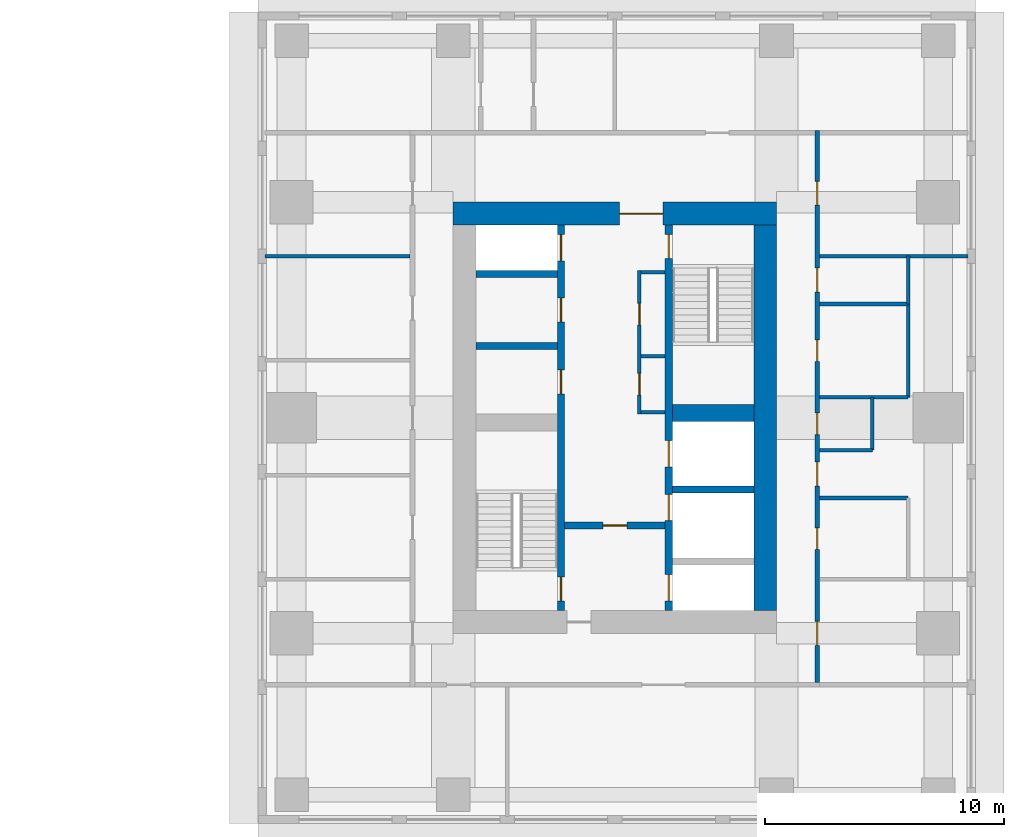
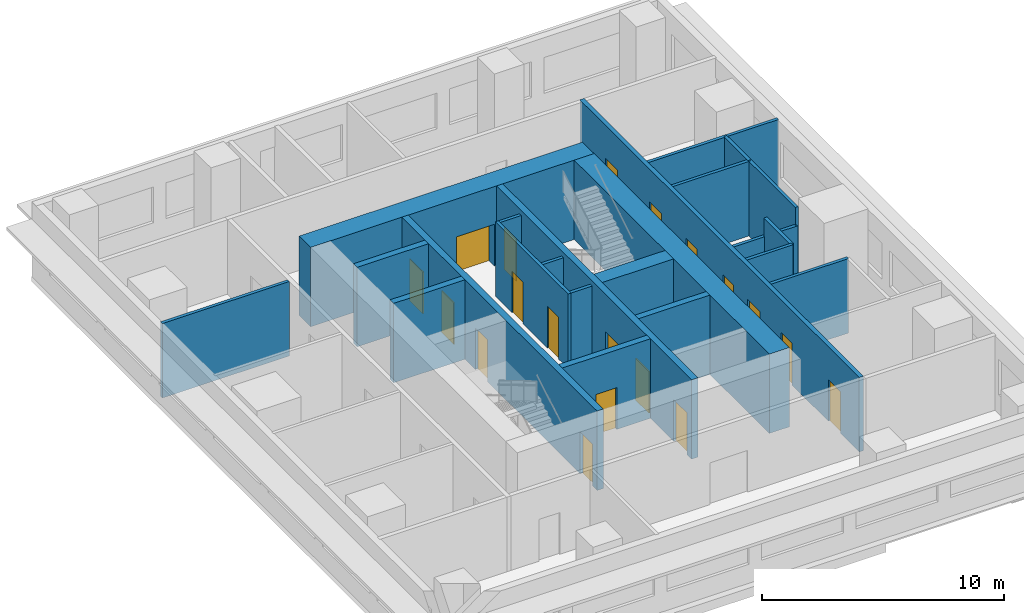
# One storey, part 7 of 11: 23 walls, 19 doors, 19 openings.
"""IFC4 building model written with IfcOpenShell, lengths in metres."""

from ifc_helpers import new_model, si_unit, direction, frame, frame_2d, origin, place, context, subcontext, project, spatial, rectangle, extrude, material, layer, layer_set, type_object, element, fill, save


model = new_model("IFC4")

# Units and contexts
model_context = context("Model", 3, precision=1e-05, world=origin(), true_north=direction((0.0, 1.0)))
body_context = subcontext(model_context, "Body", "Model", "MODEL_VIEW")
ifc_project = project(units=[si_unit("LENGTHUNIT", "METRE"), si_unit("AREAUNIT", "SQUARE_METRE"), si_unit("VOLUMEUNIT", "CUBIC_METRE"), si_unit("PLANEANGLEUNIT", "RADIAN"), si_unit("MASSUNIT", "GRAM", prefix="KILO")], contexts=[model_context])

# Site, building, storey
site_placement = place(None, origin())
site = spatial("IfcSite", under=ifc_project, at=site_placement, CompositionType="ELEMENT")
building_placement = place(site_placement, origin())
building = spatial("IfcBuilding", under=site, at=building_placement, Name="Namib Vertical Campus", CompositionType="ELEMENT")
storey_placement = place(building_placement, frame((0.0, 0.0, 181.0)))
storey = spatial("IfcBuildingStorey", under=building, at=storey_placement, Name="L42", CompositionType="ELEMENT", Elevation=181.0)

# Wall, openings, doors
ifc_material_1 = material(Name="Concrete C60/75", Category="concrete")
ifc_layer_1 = layer(ifc_material_1, 0.300048828125)
ifc_layer_set_1 = layer_set([ifc_layer_1], Name="Concrete C60/75")
wall_type_1 = type_object("IfcWallType", Name="Core inner wall 300", PredefinedType="SHEAR", material=ifc_layer_set_1)
wall_1_placement = place(storey_placement, frame((78.75, 12.199951171875, 0.0), z_axis=(0.0, 0.0, 1.0), x_axis=(0.0, 1.0, 0.0)))
wall_1 = element("IfcWall", 1, at=wall_1_placement, inside=storey, type_object=wall_type_1, Name="Core inner wall B L42 W1", PredefinedType="SHEAR", context=body_context, shape_type="SweptSolid", body=[
    extrude(rectangle(XDim=16.10009765625, YDim=0.300048828125, at=frame_2d((8.050048828125, 0.0))), origin(), (0.0, 0.0, 1.0), 4.0),
])
opening_1_placement = place(wall_1_placement, frame((0.39990234375, 0.0, 0.0)))
opening_1 = element("IfcOpeningElement", 2, at=opening_1_placement, cuts=wall_1, Name="Opening FD1", PredefinedType="OPENING", context=body_context, shape_type="SweptSolid", body=[
    extrude(rectangle(XDim=1.0, YDim=2.10009765625, at=frame_2d((0.5, 1.050048828125))), frame((0.0, 0.159912109375, 0.0), z_axis=(0.0, -1.0, 0.0), x_axis=(1.0, 0.0, 0.0)), (0.0, 0.0, 1.0), 0.320068359375),
])
opening_2_placement = place(wall_1_placement, frame((14.60009765625, 0.0, 0.0)))
opening_2 = element("IfcOpeningElement", 3, at=opening_2_placement, cuts=wall_1, Name="Opening LD1", PredefinedType="OPENING", context=body_context, shape_type="SweptSolid", body=[
    extrude(rectangle(XDim=1.10009765625, YDim=2.10009765625, at=frame_2d((0.550048828125, 1.050048828125))), frame((0.0, 0.159912109375, 0.0), z_axis=(0.0, -1.0, 0.0), x_axis=(1.0, 0.0, 0.0)), (0.0, 0.0, 1.0), 0.320068359375),
])
opening_3_placement = place(wall_1_placement, frame((9.050048828125, 0.0, 0.0)))
opening_3 = element("IfcOpeningElement", 4, at=opening_3_placement, cuts=wall_1, Name="Opening D1", PredefinedType="OPENING", context=body_context, shape_type="SweptSolid", body=[
    extrude(rectangle(XDim=1.0, YDim=2.10009765625, at=frame_2d((0.5, 1.050048828125))), frame((0.0, 0.159912109375, 0.0), z_axis=(0.0, -1.0, 0.0), x_axis=(1.0, 0.0, 0.0)), (0.0, 0.0, 1.0), 0.320068359375),
])
opening_4_placement = place(wall_1_placement, frame((12.050048828125, 0.0, 0.0)))
opening_4 = element("IfcOpeningElement", 5, at=opening_4_placement, cuts=wall_1, Name="Opening D1", PredefinedType="OPENING", context=body_context, shape_type="SweptSolid", body=[
    extrude(rectangle(XDim=1.0, YDim=2.10009765625, at=frame_2d((0.5, 1.050048828125))), frame((0.0, 0.159912109375, 0.0), z_axis=(0.0, -1.0, 0.0), x_axis=(1.0, 0.0, 0.0)), (0.0, 0.0, 1.0), 0.320068359375),
])
ifc_material_2 = material(Name="Timber door leaf", Category="wood")
door_type_1 = type_object("IfcDoorType", Name="Door single 1000x2100", OperationType="SINGLE_SWING_LEFT", PredefinedType="DOOR", material=ifc_material_2)
door_1_placement = place(opening_3_placement, origin())
door_1 = element("IfcDoor", 6, at=door_1_placement, inside=storey, type_object=door_type_1, Name="Door D1 Store B L42 P1", OperationType="SINGLE_SWING_LEFT", OverallHeight=2.10009765625, OverallWidth=1.0, PredefinedType="DOOR", context=body_context, shape_type="SweptSolid", body=[
    extrude(rectangle(XDim=1.0, YDim=2.10009765625, at=frame_2d((0.5, 1.050048828125))), frame((0.0, 0.02490234375, 0.0), z_axis=(0.0, -1.0, 0.0), x_axis=(1.0, 0.0, 0.0)), (0.0, 0.0, 1.0), 0.050048828125),
])
fill(opening_3, door_1)
door_2_placement = place(opening_4_placement, origin())
door_2 = element("IfcDoor", 7, at=door_2_placement, inside=storey, type_object=door_type_1, Name="Door D1 Comms room B L42 P2", OperationType="SINGLE_SWING_LEFT", OverallHeight=2.10009765625, OverallWidth=1.0, PredefinedType="DOOR", context=body_context, shape_type="SweptSolid", body=[
    extrude(rectangle(XDim=1.0, YDim=2.10009765625, at=frame_2d((0.5, 1.050048828125))), frame((0.0, 0.02490234375, 0.0), z_axis=(0.0, -1.0, 0.0), x_axis=(1.0, 0.0, 0.0)), (0.0, 0.0, 1.0), 0.050048828125),
])
fill(opening_4, door_2)
ifc_material_3 = material(Name="Steel fire door", Category="steel")
door_type_2 = type_object("IfcDoorType", Name="Fire door 1000x2100", OperationType="SINGLE_SWING_RIGHT", PredefinedType="DOOR", material=ifc_material_3)
door_3_placement = place(opening_1_placement, origin())
door_3 = element("IfcDoor", 8, at=door_3_placement, inside=storey, type_object=door_type_2, Name="Stair door FD1 B L42 S1", OperationType="SINGLE_SWING_LEFT", OverallHeight=2.10009765625, OverallWidth=1.0, PredefinedType="DOOR", context=body_context, shape_type="SweptSolid", body=[
    extrude(rectangle(XDim=1.0, YDim=2.10009765625, at=frame_2d((0.5, 1.050048828125))), frame((0.0, 0.02490234375, 0.0), z_axis=(0.0, -1.0, 0.0), x_axis=(1.0, 0.0, 0.0)), (0.0, 0.0, 1.0), 0.050048828125),
])
fill(opening_1, door_3)
ifc_material_4 = material(Name="Stainless steel lift door", Category="steel")
door_type_3 = type_object("IfcDoorType", Name="Lift landing door 1100x2100", OperationType="DOUBLE_DOOR_SLIDING", PredefinedType="DOOR", material=ifc_material_4)
door_4_placement = place(opening_2_placement, origin())
door_4 = element("IfcDoor", 9, at=door_4_placement, inside=storey, type_object=door_type_3, Name="Lift landing door LD1 B-P3 L42", OperationType="DOUBLE_DOOR_SLIDING", OverallHeight=2.10009765625, OverallWidth=1.10009765625, PredefinedType="DOOR", context=body_context, shape_type="SweptSolid", body=[
    extrude(rectangle(XDim=1.10009765625, YDim=2.10009765625, at=frame_2d((0.550048828125, 1.050048828125))), frame((0.0, 0.02490234375, 0.0), z_axis=(0.0, -1.0, 0.0), x_axis=(1.0, 0.0, 0.0)), (0.0, 0.0, 1.0), 0.050048828125),
])
fill(opening_2, door_4)

wall_2_placement = place(storey_placement, frame((83.25, 12.199951171875, 0.0), z_axis=(0.0, 0.0, 1.0), x_axis=(0.0, 1.0, 0.0)))
wall_2 = element("IfcWall", 10, at=wall_2_placement, inside=storey, type_object=wall_type_1, Name="Core inner wall B L42 W2", PredefinedType="SHEAR", context=body_context, shape_type="SweptSolid", body=[
    extrude(rectangle(XDim=16.10009765625, YDim=0.300048828125, at=frame_2d((8.050048828125, 0.0))), origin(), (0.0, 0.0, 1.0), 4.0),
])
opening_5_placement = place(wall_2_placement, frame((14.699951171875, 0.0, 0.0)))
opening_5 = element("IfcOpeningElement", 11, at=opening_5_placement, cuts=wall_2, Name="Opening FD1", PredefinedType="OPENING", context=body_context, shape_type="SweptSolid", body=[
    extrude(rectangle(XDim=1.0, YDim=2.10009765625, at=frame_2d((0.5, 1.050048828125))), frame((0.0, 0.159912109375, 0.0), z_axis=(0.0, -1.0, 0.0), x_axis=(1.0, 0.0, 0.0)), (0.0, 0.0, 1.0), 0.320068359375),
])
opening_6_placement = place(wall_2_placement, frame((0.39990234375, 0.0, 0.0)))
opening_6 = element("IfcOpeningElement", 12, at=opening_6_placement, cuts=wall_2, Name="Opening LD1", PredefinedType="OPENING", context=body_context, shape_type="SweptSolid", body=[
    extrude(rectangle(XDim=1.10009765625, YDim=2.10009765625, at=frame_2d((0.550048828125, 1.050048828125))), frame((0.0, 0.159912109375, 0.0), z_axis=(0.0, -1.0, 0.0), x_axis=(1.0, 0.0, 0.0)), (0.0, 0.0, 1.0), 0.320068359375),
])
opening_7_placement = place(wall_2_placement, frame((3.75, 0.0, 0.0)))
opening_7 = element("IfcOpeningElement", 13, at=opening_7_placement, cuts=wall_2, Name="Opening LD1", PredefinedType="OPENING", context=body_context, shape_type="SweptSolid", body=[
    extrude(rectangle(XDim=1.10009765625, YDim=2.10009765625, at=frame_2d((0.550048828125, 1.050048828125))), frame((0.0, 0.159912109375, 0.0), z_axis=(0.0, -1.0, 0.0), x_axis=(1.0, 0.0, 0.0)), (0.0, 0.0, 1.0), 0.320068359375),
])
opening_8_placement = place(wall_2_placement, frame((6.0, 0.0, 0.0)))
opening_8 = element("IfcOpeningElement", 14, at=opening_8_placement, cuts=wall_2, Name="Opening LD1", PredefinedType="OPENING", context=body_context, shape_type="SweptSolid", body=[
    extrude(rectangle(XDim=1.10009765625, YDim=2.10009765625, at=frame_2d((0.550048828125, 1.050048828125))), frame((0.0, 0.159912109375, 0.0), z_axis=(0.0, -1.0, 0.0), x_axis=(1.0, 0.0, 0.0)), (0.0, 0.0, 1.0), 0.320068359375),
])
door_5_placement = place(opening_5_placement, frame((1.0, 0.0, 0.0), z_axis=(0.0, 0.0, 1.0), x_axis=(-1.0, 0.0, 0.0)))
door_5 = element("IfcDoor", 15, at=door_5_placement, inside=storey, type_object=door_type_2, Name="Stair door FD1 B L42 S2", OperationType="SINGLE_SWING_LEFT", OverallHeight=2.10009765625, OverallWidth=1.0, PredefinedType="DOOR", context=body_context, shape_type="SweptSolid", body=[
    extrude(rectangle(XDim=1.0, YDim=2.10009765625, at=frame_2d((0.5, 1.050048828125))), frame((0.0, 0.02490234375, 0.0), z_axis=(0.0, -1.0, 0.0), x_axis=(1.0, 0.0, 0.0)), (0.0, 0.0, 1.0), 0.050048828125),
])
fill(opening_5, door_5)
door_6_placement = place(opening_6_placement, origin())
door_6 = element("IfcDoor", 16, at=door_6_placement, inside=storey, type_object=door_type_3, Name="Lift landing door LD1 B-FL1 L42", OperationType="DOUBLE_DOOR_SLIDING", OverallHeight=2.10009765625, OverallWidth=1.10009765625, PredefinedType="DOOR", context=body_context, shape_type="SweptSolid", body=[
    extrude(rectangle(XDim=1.10009765625, YDim=2.10009765625, at=frame_2d((0.550048828125, 1.050048828125))), frame((0.0, 0.02490234375, 0.0), z_axis=(0.0, -1.0, 0.0), x_axis=(1.0, 0.0, 0.0)), (0.0, 0.0, 1.0), 0.050048828125),
])
fill(opening_6, door_6)
door_7_placement = place(opening_7_placement, origin())
door_7 = element("IfcDoor", 17, at=door_7_placement, inside=storey, type_object=door_type_3, Name="Lift landing door LD1 B-P4 L42", OperationType="DOUBLE_DOOR_SLIDING", OverallHeight=2.10009765625, OverallWidth=1.10009765625, PredefinedType="DOOR", context=body_context, shape_type="SweptSolid", body=[
    extrude(rectangle(XDim=1.10009765625, YDim=2.10009765625, at=frame_2d((0.550048828125, 1.050048828125))), frame((0.0, 0.02490234375, 0.0), z_axis=(0.0, -1.0, 0.0), x_axis=(1.0, 0.0, 0.0)), (0.0, 0.0, 1.0), 0.050048828125),
])
fill(opening_7, door_7)
door_8_placement = place(opening_8_placement, origin())
door_8 = element("IfcDoor", 18, at=door_8_placement, inside=storey, type_object=door_type_3, Name="Lift landing door LD1 B-P5 L42", OperationType="DOUBLE_DOOR_SLIDING", OverallHeight=2.10009765625, OverallWidth=1.10009765625, PredefinedType="DOOR", context=body_context, shape_type="SweptSolid", body=[
    extrude(rectangle(XDim=1.10009765625, YDim=2.10009765625, at=frame_2d((0.550048828125, 1.050048828125))), frame((0.0, 0.02490234375, 0.0), z_axis=(0.0, -1.0, 0.0), x_axis=(1.0, 0.0, 0.0)), (0.0, 0.0, 1.0), 0.050048828125),
])
fill(opening_8, door_8)

# Wall, opening, door
wall_3_placement = place(storey_placement, frame((78.89990234375, 15.75, 0.0), z_axis=(0.0, 0.0, 1.0), x_axis=(1.0, 0.0, 0.0)))
wall_3 = element("IfcWall", 19, at=wall_3_placement, inside=storey, type_object=wall_type_1, Name="Core inner wall B L42 W4", PredefinedType="SHEAR", context=body_context, shape_type="SweptSolid", body=[
    extrude(rectangle(XDim=4.2001953125, YDim=0.300048828125, at=frame_2d((2.10009765625, 0.0))), origin(), (0.0, 0.0, 1.0), 4.0),
])
opening_9_placement = place(wall_3_placement, frame((1.60009765625, 0.0, 0.0)))
opening_9 = element("IfcOpeningElement", 20, at=opening_9_placement, cuts=wall_3, Name="Opening FD5", PredefinedType="OPENING", context=body_context, shape_type="SweptSolid", body=[
    extrude(rectangle(XDim=1.0, YDim=2.10009765625, at=frame_2d((0.5, 1.050048828125))), frame((0.0, 0.159912109375, 0.0), z_axis=(0.0, -1.0, 0.0), x_axis=(1.0, 0.0, 0.0)), (0.0, 0.0, 1.0), 0.320068359375),
])
ifc_material_5 = material(Name="Steel fire door", Category="steel")
door_type_4 = type_object("IfcDoorType", Name="Fire door 1000x2100 120 min", OperationType="SINGLE_SWING_RIGHT", PredefinedType="DOOR", material=ifc_material_5)
door_9_placement = place(opening_9_placement, frame((1.0, 0.0, 0.0), z_axis=(0.0, 0.0, 1.0), x_axis=(-1.0, 0.0, 0.0)))
door_9 = element("IfcDoor", 21, at=door_9_placement, inside=storey, type_object=door_type_4, Name="Lobby door FD5 B L42", OperationType="SINGLE_SWING_RIGHT", OverallHeight=2.10009765625, OverallWidth=1.0, PredefinedType="DOOR", context=body_context, shape_type="SweptSolid", body=[
    extrude(rectangle(XDim=1.0, YDim=2.10009765625, at=frame_2d((0.5, 1.050048828125))), frame((0.0, 0.02490234375, 0.0), z_axis=(0.0, -1.0, 0.0), x_axis=(1.0, 0.0, 0.0)), (0.0, 0.0, 1.0), 0.050048828125),
])
fill(opening_9, door_9)

# Walls
for number, where, z_axis, x_axis, name in (
    (22, (83.39990234375, 17.25, 0.0), (0.0, 0.0, 1.0), (1.0, 0.0, 0.0), "Core inner wall B L42 W6"),
    (23, (75.199951171875, 23.25, 0.0), (0.0, 0.0, 1.0), (1.0, 0.0, 0.0), "Core inner wall B L42 W8"),
    (24, (75.199951171875, 26.25, 0.0), (0.0, 0.0, 1.0), (1.0, 0.0, 0.0), "Core inner wall B L42 W9"),
):
    element("IfcWall", number, at=place(storey_placement, frame(where, z_axis=z_axis, x_axis=x_axis)), inside=storey, type_object=wall_type_1, Name=name, PredefinedType="SHEAR", context=body_context, shape_type="SweptSolid", body=[
        extrude(rectangle(XDim=3.400146484375, YDim=0.300048828125, at=frame_2d((1.7001953125, 0.0))), origin(), (0.0, 0.0, 1.0), 4.0),
    ])
ifc_material_6 = material(Name="Concrete C60/75", Category="concrete")
ifc_layer_2 = layer(ifc_material_6, 0.699951171875)
ifc_layer_set_2 = layer_set([ifc_layer_2], Name="Concrete C60/75")
wall_type_2 = type_object("IfcWallType", Name="Core shear wall 700", PredefinedType="SHEAR", material=ifc_layer_set_2)
wall_4_placement = place(storey_placement, frame((83.39990234375, 20.449951171875, 0.0), z_axis=(0.0, 0.0, 1.0), x_axis=(1.0, 0.0, 0.0)))
element("IfcWall", 25, at=wall_4_placement, inside=storey, type_object=wall_type_2, Name="Core shear wall B L42 W7", PredefinedType="SHEAR", context=body_context, shape_type="SweptSolid", body=[
    extrude(rectangle(XDim=3.400146484375, YDim=0.699951171875, at=frame_2d((1.7001953125, 0.0))), origin(), (0.0, 0.0, 1.0), 4.0),
])
ifc_material_7 = material(Name="Concrete C60/75", Category="concrete")
ifc_layer_3 = layer(ifc_material_7, 0.949951171875)
ifc_layer_set_3 = layer_set([ifc_layer_3], Name="Concrete C60/75")
wall_type_3 = type_object("IfcWallType", Name="Core wall 950", PredefinedType="SHEAR", material=ifc_layer_set_3)
wall_5_placement = place(storey_placement, frame((87.27490234375, 12.199951171875, 0.0), z_axis=(0.0, 0.0, 1.0), x_axis=(0.0, 1.0, 0.0)))
element("IfcWall", 26, at=wall_5_placement, inside=storey, type_object=wall_type_3, Name="Core wall B L42 2", PredefinedType="SHEAR", context=body_context, shape_type="SweptSolid", body=[
    extrude(rectangle(XDim=16.10009765625, YDim=0.949951171875, at=frame_2d((8.050048828125, 0.0))), origin(), (0.0, 0.0, 1.0), 4.0),
])

# Wall, opening, door
wall_6_placement = place(storey_placement, frame((87.75, 28.77490234375, 0.0), z_axis=(0.0, 0.0, 1.0), x_axis=(-1.0, 0.0, 0.0)))
wall_6 = element("IfcWall", 27, at=wall_6_placement, inside=storey, type_object=wall_type_3, Name="Core wall B L42 3", PredefinedType="SHEAR", context=body_context, shape_type="SweptSolid", body=[
    extrude(rectangle(XDim=13.5, YDim=0.949951171875, at=frame_2d((6.75, 0.0))), origin(), (0.0, 0.0, 1.0), 4.0),
])
opening_10_placement = place(wall_6_placement, frame((4.75, 0.0, 0.0)))
opening_10 = element("IfcOpeningElement", 28, at=opening_10_placement, cuts=wall_6, Name="Opening FD2", PredefinedType="OPENING", context=body_context, shape_type="SweptSolid", body=[
    extrude(rectangle(XDim=1.800048828125, YDim=2.10009765625, at=frame_2d((0.89990234375, 1.050048828125))), frame((0.0, 0.48486328125, 0.0), z_axis=(0.0, -1.0, 0.0), x_axis=(1.0, 0.0, 0.0)), (0.0, 0.0, 1.0), 0.969970703125),
])
ifc_material_8 = material(Name="Steel fire door", Category="steel")
door_type_5 = type_object("IfcDoorType", Name="Fire door double 1800x2100", OperationType="DOUBLE_DOOR_SINGLE_SWING", PredefinedType="DOOR", material=ifc_material_8)
door_10_placement = place(opening_10_placement, origin())
door_10 = element("IfcDoor", 29, at=door_10_placement, inside=storey, type_object=door_type_5, Name="Lift lobby door FD2 B L42", OperationType="DOUBLE_DOOR_SINGLE_SWING", OverallHeight=2.10009765625, OverallWidth=1.800048828125, PredefinedType="DOOR", context=body_context, shape_type="SweptSolid", body=[
    extrude(rectangle(XDim=1.800048828125, YDim=2.10009765625, at=frame_2d((0.89990234375, 1.050048828125))), frame((0.0, 0.02490234375, 0.0), z_axis=(0.0, -1.0, 0.0), x_axis=(1.0, 0.0, 0.0)), (0.0, 0.0, 1.0), 0.050048828125),
])
fill(opening_10, door_10)

# Wall, openings, doors
ifc_material_9 = material(Name="Concrete masonry", Category="masonry")
ifc_layer_4 = layer(ifc_material_9, 0.199951171875)
ifc_layer_set_4 = layer_set([ifc_layer_4], Name="Corridor wall 200")
wall_type_4 = type_object("IfcWallType", Name="Corridor wall 200", PredefinedType="SOLIDWALL", material=ifc_layer_set_4)
wall_7_placement = place(storey_placement, frame((89.449951171875, 9.199951171875, 0.0), z_axis=(0.0, 0.0, 1.0), x_axis=(0.0, 1.0, 0.0)))
wall_7 = element("IfcWall", 30, at=wall_7_placement, inside=storey, type_object=wall_type_4, Name="Corridor wall B L42 CE", PredefinedType="SOLIDWALL", context=body_context, shape_type="SweptSolid", body=[
    extrude(rectangle(XDim=23.050048828125, YDim=0.199951171875, at=frame_2d((11.52490234375, 0.0))), origin(), (0.0, 0.0, 1.0), 3.75),
])
opening_11_placement = place(wall_7_placement, frame((1.550048828125, 0.0, 0.0)))
opening_11 = element("IfcOpeningElement", 31, at=opening_11_placement, cuts=wall_7, Name="Opening CD1", PredefinedType="OPENING", context=body_context, shape_type="SweptSolid", body=[
    extrude(rectangle(XDim=1.0, YDim=2.10009765625, at=frame_2d((0.5, 1.050048828125))), frame((0.0, 0.10986328125, 0.0), z_axis=(0.0, -1.0, 0.0), x_axis=(1.0, 0.0, 0.0)), (0.0, 0.0, 1.0), 0.219970703125),
])
opening_12_placement = place(wall_7_placement, frame((5.550048828125, 0.0, 0.0)))
opening_12 = element("IfcOpeningElement", 32, at=opening_12_placement, cuts=wall_7, Name="Opening CD3", PredefinedType="OPENING", context=body_context, shape_type="SweptSolid", body=[
    extrude(rectangle(XDim=0.89990234375, YDim=2.10009765625, at=frame_2d((0.449951171875, 1.050048828125))), frame((0.0, 0.10986328125, 0.0), z_axis=(0.0, -1.0, 0.0), x_axis=(1.0, 0.0, 0.0)), (0.0, 0.0, 1.0), 0.219970703125),
])
opening_13_placement = place(wall_7_placement, frame((10.35009765625, 0.0, 0.0)))
opening_13 = element("IfcOpeningElement", 33, at=opening_13_placement, cuts=wall_7, Name="Opening CD3", PredefinedType="OPENING", context=body_context, shape_type="SweptSolid", body=[
    extrude(rectangle(XDim=0.89990234375, YDim=2.10009765625, at=frame_2d((0.449951171875, 1.050048828125))), frame((0.0, 0.10986328125, 0.0), z_axis=(0.0, -1.0, 0.0), x_axis=(1.0, 0.0, 0.0)), (0.0, 0.0, 1.0), 0.219970703125),
])
opening_14_placement = place(wall_7_placement, frame((13.39990234375, 0.0, 0.0)))
opening_14 = element("IfcOpeningElement", 34, at=opening_14_placement, cuts=wall_7, Name="Opening CD3", PredefinedType="OPENING", context=body_context, shape_type="SweptSolid", body=[
    extrude(rectangle(XDim=0.89990234375, YDim=2.10009765625, at=frame_2d((0.449951171875, 1.050048828125))), frame((0.0, 0.10986328125, 0.0), z_axis=(0.0, -1.0, 0.0), x_axis=(1.0, 0.0, 0.0)), (0.0, 0.0, 1.0), 0.219970703125),
])
opening_15_placement = place(wall_7_placement, frame((16.300048828125, 0.0, 0.0)))
opening_15 = element("IfcOpeningElement", 35, at=opening_15_placement, cuts=wall_7, Name="Opening CD1", PredefinedType="OPENING", context=body_context, shape_type="SweptSolid", body=[
    extrude(rectangle(XDim=1.0, YDim=2.10009765625, at=frame_2d((0.5, 1.050048828125))), frame((0.0, 0.10986328125, 0.0), z_axis=(0.0, -1.0, 0.0), x_axis=(1.0, 0.0, 0.0)), (0.0, 0.0, 1.0), 0.219970703125),
])
opening_16_placement = place(wall_7_placement, frame((8.199951171875, 0.0, 0.0)))
opening_16 = element("IfcOpeningElement", 36, at=opening_16_placement, cuts=wall_7, Name="Opening CD1", PredefinedType="OPENING", context=body_context, shape_type="SweptSolid", body=[
    extrude(rectangle(XDim=1.0, YDim=2.10009765625, at=frame_2d((0.5, 1.050048828125))), frame((0.0, 0.10986328125, 0.0), z_axis=(0.0, -1.0, 0.0), x_axis=(1.0, 0.0, 0.0)), (0.0, 0.0, 1.0), 0.219970703125),
])
opening_17_placement = place(wall_7_placement, frame((19.925048828125, 0.0, 0.0)))
opening_17 = element("IfcOpeningElement", 37, at=opening_17_placement, cuts=wall_7, Name="Opening CD1", PredefinedType="OPENING", context=body_context, shape_type="SweptSolid", body=[
    extrude(rectangle(XDim=1.0, YDim=2.10009765625, at=frame_2d((0.5, 1.050048828125))), frame((0.0, 0.10986328125, 0.0), z_axis=(0.0, -1.0, 0.0), x_axis=(1.0, 0.0, 0.0)), (0.0, 0.0, 1.0), 0.219970703125),
])
ifc_material_10 = material(Name="Timber fire door leaf", Category="wood")
door_type_6 = type_object("IfcDoorType", Name="Corridor door 1000x2100 20 min", OperationType="SINGLE_SWING_LEFT", PredefinedType="DOOR", material=ifc_material_10)
door_11_placement = place(opening_11_placement, frame((1.0, 0.0, 0.0), z_axis=(0.0, 0.0, 1.0), x_axis=(-1.0, 0.0, 0.0)))
door_11 = element("IfcDoor", 38, at=door_11_placement, inside=storey, type_object=door_type_6, Name="Door CD1 B42-03", OperationType="SINGLE_SWING_RIGHT", OverallHeight=2.10009765625, OverallWidth=1.0, PredefinedType="DOOR", context=body_context, shape_type="SweptSolid", body=[
    extrude(rectangle(XDim=1.0, YDim=2.10009765625, at=frame_2d((0.5, 1.050048828125))), frame((0.0, 0.02490234375, 0.0), z_axis=(0.0, -1.0, 0.0), x_axis=(1.0, 0.0, 0.0)), (0.0, 0.0, 1.0), 0.050048828125),
])
fill(opening_11, door_11)
door_12_placement = place(opening_15_placement, frame((1.0, 0.0, 0.0), z_axis=(0.0, 0.0, 1.0), x_axis=(-1.0, 0.0, 0.0)))
door_12 = element("IfcDoor", 39, at=door_12_placement, inside=storey, type_object=door_type_6, Name="Door CD1 B42-07", OperationType="SINGLE_SWING_RIGHT", OverallHeight=2.10009765625, OverallWidth=1.0, PredefinedType="DOOR", context=body_context, shape_type="SweptSolid", body=[
    extrude(rectangle(XDim=1.0, YDim=2.10009765625, at=frame_2d((0.5, 1.050048828125))), frame((0.0, 0.02490234375, 0.0), z_axis=(0.0, -1.0, 0.0), x_axis=(1.0, 0.0, 0.0)), (0.0, 0.0, 1.0), 0.050048828125),
])
fill(opening_15, door_12)
door_13_placement = place(opening_16_placement, frame((1.0, 0.0, 0.0), z_axis=(0.0, 0.0, 1.0), x_axis=(-1.0, 0.0, 0.0)))
door_13 = element("IfcDoor", 40, at=door_13_placement, inside=storey, type_object=door_type_6, Name="Door CD1 B42-08", OperationType="SINGLE_SWING_RIGHT", OverallHeight=2.10009765625, OverallWidth=1.0, PredefinedType="DOOR", context=body_context, shape_type="SweptSolid", body=[
    extrude(rectangle(XDim=1.0, YDim=2.10009765625, at=frame_2d((0.5, 1.050048828125))), frame((0.0, 0.02490234375, 0.0), z_axis=(0.0, -1.0, 0.0), x_axis=(1.0, 0.0, 0.0)), (0.0, 0.0, 1.0), 0.050048828125),
])
fill(opening_16, door_13)
door_14_placement = place(opening_17_placement, frame((1.0, 0.0, 0.0), z_axis=(0.0, 0.0, 1.0), x_axis=(-1.0, 0.0, 0.0)))
door_14 = element("IfcDoor", 41, at=door_14_placement, inside=storey, type_object=door_type_6, Name="Door CD1 B42-09", OperationType="SINGLE_SWING_RIGHT", OverallHeight=2.10009765625, OverallWidth=1.0, PredefinedType="DOOR", context=body_context, shape_type="SweptSolid", body=[
    extrude(rectangle(XDim=1.0, YDim=2.10009765625, at=frame_2d((0.5, 1.050048828125))), frame((0.0, 0.02490234375, 0.0), z_axis=(0.0, -1.0, 0.0), x_axis=(1.0, 0.0, 0.0)), (0.0, 0.0, 1.0), 0.050048828125),
])
fill(opening_17, door_14)
ifc_material_11 = material(Name="Timber fire door leaf", Category="wood")
door_type_7 = type_object("IfcDoorType", Name="Corridor toilet door 900x2100 20 min", OperationType="SINGLE_SWING_LEFT", PredefinedType="DOOR", material=ifc_material_11)
door_15_placement = place(opening_12_placement, frame((0.89990234375, 0.0, 0.0), z_axis=(0.0, 0.0, 1.0), x_axis=(-1.0, 0.0, 0.0)))
door_15 = element("IfcDoor", 42, at=door_15_placement, inside=storey, type_object=door_type_7, Name="Door CD3 B42-04", OperationType="SINGLE_SWING_RIGHT", OverallHeight=2.10009765625, OverallWidth=0.89990234375, PredefinedType="DOOR", context=body_context, shape_type="SweptSolid", body=[
    extrude(rectangle(XDim=0.89990234375, YDim=2.10009765625, at=frame_2d((0.449951171875, 1.050048828125))), frame((0.0, 0.02490234375, 0.0), z_axis=(0.0, -1.0, 0.0), x_axis=(1.0, 0.0, 0.0)), (0.0, 0.0, 1.0), 0.050048828125),
])
fill(opening_12, door_15)
door_16_placement = place(opening_13_placement, frame((0.89990234375, 0.0, 0.0), z_axis=(0.0, 0.0, 1.0), x_axis=(-1.0, 0.0, 0.0)))
door_16 = element("IfcDoor", 43, at=door_16_placement, inside=storey, type_object=door_type_7, Name="Door CD3 B42-05", OperationType="SINGLE_SWING_RIGHT", OverallHeight=2.10009765625, OverallWidth=0.89990234375, PredefinedType="DOOR", context=body_context, shape_type="SweptSolid", body=[
    extrude(rectangle(XDim=0.89990234375, YDim=2.10009765625, at=frame_2d((0.449951171875, 1.050048828125))), frame((0.0, 0.02490234375, 0.0), z_axis=(0.0, -1.0, 0.0), x_axis=(1.0, 0.0, 0.0)), (0.0, 0.0, 1.0), 0.050048828125),
])
fill(opening_13, door_16)
door_17_placement = place(opening_14_placement, frame((0.89990234375, 0.0, 0.0), z_axis=(0.0, 0.0, 1.0), x_axis=(-1.0, 0.0, 0.0)))
door_17 = element("IfcDoor", 44, at=door_17_placement, inside=storey, type_object=door_type_7, Name="Door CD3 B42-06", OperationType="SINGLE_SWING_RIGHT", OverallHeight=2.10009765625, OverallWidth=0.89990234375, PredefinedType="DOOR", context=body_context, shape_type="SweptSolid", body=[
    extrude(rectangle(XDim=0.89990234375, YDim=2.10009765625, at=frame_2d((0.449951171875, 1.050048828125))), frame((0.0, 0.02490234375, 0.0), z_axis=(0.0, -1.0, 0.0), x_axis=(1.0, 0.0, 0.0)), (0.0, 0.0, 1.0), 0.050048828125),
])
fill(opening_14, door_17)

ifc_material_12 = material(Name="Gypsum board on steel studs", Category="steel")
ifc_layer_5 = layer(ifc_material_12, 0.14990234375)
ifc_layer_set_5 = layer_set([ifc_layer_5], Name="Gypsum board on steel studs")
wall_type_5 = type_object("IfcWallType", Name="Partition 150", PredefinedType="PARTITIONING", material=ifc_layer_set_5)
wall_8_placement = place(storey_placement, frame((82.02490234375, 20.39990234375, 0.0), z_axis=(0.0, 0.0, 1.0), x_axis=(0.0, 1.0, 0.0)))
wall_8 = element("IfcWall", 45, at=wall_8_placement, inside=storey, type_object=wall_type_5, Name="Partition B L42 Cleaners' store and Tea point front", PredefinedType="PARTITIONING", context=body_context, shape_type="SweptSolid", body=[
    extrude(rectangle(XDim=6.0, YDim=0.14990234375, at=frame_2d((3.0, 0.0))), origin(), (0.0, 0.0, 1.0), 3.75),
])
opening_18_placement = place(wall_8_placement, frame((0.800048828125, 0.0, 0.0)))
opening_18 = element("IfcOpeningElement", 46, at=opening_18_placement, cuts=wall_8, Name="Opening D3", PredefinedType="OPENING", context=body_context, shape_type="SweptSolid", body=[
    extrude(rectangle(XDim=0.89990234375, YDim=2.10009765625, at=frame_2d((0.449951171875, 1.050048828125))), frame((0.0, 0.0849609375, 0.0), z_axis=(0.0, -1.0, 0.0), x_axis=(1.0, 0.0, 0.0)), (0.0, 0.0, 1.0), 0.169921875),
])
opening_19_placement = place(wall_8_placement, frame((3.72509765625, 0.0, 0.0)))
opening_19 = element("IfcOpeningElement", 47, at=opening_19_placement, cuts=wall_8, Name="Opening D3", PredefinedType="OPENING", context=body_context, shape_type="SweptSolid", body=[
    extrude(rectangle(XDim=0.89990234375, YDim=2.10009765625, at=frame_2d((0.449951171875, 1.050048828125))), frame((0.0, 0.0849609375, 0.0), z_axis=(0.0, -1.0, 0.0), x_axis=(1.0, 0.0, 0.0)), (0.0, 0.0, 1.0), 0.169921875),
])
ifc_material_13 = material(Name="Timber door leaf", Category="wood")
door_type_8 = type_object("IfcDoorType", Name="Toilet door 900x2100", OperationType="SINGLE_SWING_LEFT", PredefinedType="DOOR", material=ifc_material_13)
door_18_placement = place(opening_18_placement, frame((0.89990234375, 0.0, 0.0), z_axis=(0.0, 0.0, 1.0), x_axis=(-1.0, 0.0, 0.0)))
door_18 = element("IfcDoor", 48, at=door_18_placement, inside=storey, type_object=door_type_8, Name="Door D3 Cleaners' store B L42", OperationType="SINGLE_SWING_RIGHT", OverallHeight=2.10009765625, OverallWidth=0.89990234375, PredefinedType="DOOR", context=body_context, shape_type="SweptSolid", body=[
    extrude(rectangle(XDim=0.89990234375, YDim=2.10009765625, at=frame_2d((0.449951171875, 1.050048828125))), frame((0.0, 0.02490234375, 0.0), z_axis=(0.0, -1.0, 0.0), x_axis=(1.0, 0.0, 0.0)), (0.0, 0.0, 1.0), 0.050048828125),
])
fill(opening_18, door_18)
door_19_placement = place(opening_19_placement, frame((0.89990234375, 0.0, 0.0), z_axis=(0.0, 0.0, 1.0), x_axis=(-1.0, 0.0, 0.0)))
door_19 = element("IfcDoor", 49, at=door_19_placement, inside=storey, type_object=door_type_8, Name="Door D3 Tea point B L42", OperationType="SINGLE_SWING_RIGHT", OverallHeight=2.10009765625, OverallWidth=0.89990234375, PredefinedType="DOOR", context=body_context, shape_type="SweptSolid", body=[
    extrude(rectangle(XDim=0.89990234375, YDim=2.10009765625, at=frame_2d((0.449951171875, 1.050048828125))), frame((0.0, 0.02490234375, 0.0), z_axis=(0.0, -1.0, 0.0), x_axis=(1.0, 0.0, 0.0)), (0.0, 0.0, 1.0), 0.050048828125),
])
fill(opening_19, door_19)

# Walls
for number, where, z_axis, x_axis, name in (
    (50, (82.10009765625, 20.47509765625, 0.0), (0.0, 0.0, 1.0), (1.0, 0.0, 0.0), "Partition B L42 Cleaners' store and Tea point end 1"),
    (51, (82.10009765625, 22.824951171875, 0.0), (0.0, 0.0, 1.0), (1.0, 0.0, 0.0), "Partition B L42 Cleaners' store and Tea point division 2"),
    (52, (82.10009765625, 26.324951171875, 0.0), (0.0, 0.0, 1.0), (1.0, 0.0, 0.0), "Partition B L42 Cleaners' store and Tea point end 3"),
):
    element("IfcWall", number, at=place(storey_placement, frame(where, z_axis=z_axis, x_axis=x_axis)), inside=storey, type_object=wall_type_5, Name=name, PredefinedType="PARTITIONING", context=body_context, shape_type="SweptSolid", body=[
        extrude(rectangle(XDim=1.0, YDim=0.14990234375, at=frame_2d((0.5, 0.0))), origin(), (0.0, 0.0, 1.0), 3.75),
    ])
wall_9_placement = place(storey_placement, frame((89.550048828125, 27.0, 0.0), z_axis=(0.0, 0.0, 1.0), x_axis=(1.0, 0.0, 0.0)))
element("IfcWall", 53, at=wall_9_placement, inside=storey, type_object=wall_type_5, Name="Partition B L42 PE2", PredefinedType="PARTITIONING", context=body_context, shape_type="SweptSolid", body=[
    extrude(rectangle(XDim=6.199951171875, YDim=0.14990234375, at=frame_2d((3.10009765625, 0.0))), origin(), (0.0, 0.0, 1.0), 3.75),
])
wall_10_placement = place(storey_placement, frame((66.39990234375, 27.0, 0.0), z_axis=(0.0, 0.0, 1.0), x_axis=(1.0, 0.0, 0.0)))
element("IfcWall", 54, at=wall_10_placement, inside=storey, type_object=wall_type_5, Name="Partition B L42 PW4", PredefinedType="PARTITIONING", context=body_context, shape_type="SweptSolid", body=[
    extrude(rectangle(XDim=6.050048828125, YDim=0.14990234375, at=frame_2d((3.02490234375, 0.0))), origin(), (0.0, 0.0, 1.0), 3.75),
])
wall_11_placement = place(storey_placement, frame((89.550048828125, 16.89990234375, 0.0), z_axis=(0.0, 0.0, 1.0), x_axis=(1.0, 0.0, 0.0)))
element("IfcWall", 55, at=wall_11_placement, inside=storey, type_object=wall_type_5, Name="Partition B L42 WR1", PredefinedType="PARTITIONING", context=body_context, shape_type="SweptSolid", body=[
    extrude(rectangle(XDim=3.699951171875, YDim=0.14990234375, at=frame_2d((1.85009765625, 0.0))), origin(), (0.0, 0.0, 1.0), 3.75),
])
wall_12_placement = place(storey_placement, frame((89.550048828125, 18.89990234375, 0.0), z_axis=(0.0, 0.0, 1.0), x_axis=(1.0, 0.0, 0.0)))
element("IfcWall", 56, at=wall_12_placement, inside=storey, type_object=wall_type_5, Name="Partition B L42 WR2", PredefinedType="PARTITIONING", context=body_context, shape_type="SweptSolid", body=[
    extrude(rectangle(XDim=2.199951171875, YDim=0.14990234375, at=frame_2d((1.10009765625, 0.0))), origin(), (0.0, 0.0, 1.0), 3.75),
])
wall_13_placement = place(storey_placement, frame((89.550048828125, 21.10009765625, 0.0), z_axis=(0.0, 0.0, 1.0), x_axis=(1.0, 0.0, 0.0)))
element("IfcWall", 57, at=wall_13_placement, inside=storey, type_object=wall_type_5, Name="Partition B L42 WR3", PredefinedType="PARTITIONING", context=body_context, shape_type="SweptSolid", body=[
    extrude(rectangle(XDim=3.699951171875, YDim=0.14990234375, at=frame_2d((1.85009765625, 0.0))), origin(), (0.0, 0.0, 1.0), 2.85009765625),
])
wall_14_placement = place(storey_placement, frame((89.550048828125, 25.0, 0.0), z_axis=(0.0, 0.0, 1.0), x_axis=(1.0, 0.0, 0.0)))
element("IfcWall", 58, at=wall_14_placement, inside=storey, type_object=wall_type_5, Name="Partition B L42 WR4", PredefinedType="PARTITIONING", context=body_context, shape_type="SweptSolid", body=[
    extrude(rectangle(XDim=3.699951171875, YDim=0.14990234375, at=frame_2d((1.85009765625, 0.0))), origin(), (0.0, 0.0, 1.0), 3.75),
])
wall_15_placement = place(storey_placement, frame((91.75, 18.89990234375, 0.0), z_axis=(0.0, 0.0, 1.0), x_axis=(0.0, 1.0, 0.0)))
element("IfcWall", 59, at=wall_15_placement, inside=storey, type_object=wall_type_5, Name="Partition B L42 WB2", PredefinedType="PARTITIONING", context=body_context, shape_type="SweptSolid", body=[
    extrude(rectangle(XDim=2.2001953125, YDim=0.14990234375, at=frame_2d((1.10009765625, 0.0))), origin(), (0.0, 0.0, 1.0), 3.75),
])
wall_16_placement = place(storey_placement, frame((93.25, 21.10009765625, 0.0), z_axis=(0.0, 0.0, 1.0), x_axis=(0.0, 1.0, 0.0)))
element("IfcWall", 60, at=wall_16_placement, inside=storey, type_object=wall_type_5, Name="Partition B L42 WB3", PredefinedType="PARTITIONING", context=body_context, shape_type="SweptSolid", body=[
    extrude(rectangle(XDim=3.89990234375, YDim=0.14990234375, at=frame_2d((1.949951171875, 0.0))), origin(), (0.0, 0.0, 1.0), 3.75),
])
wall_17_placement = place(storey_placement, frame((93.25, 25.0, 0.0), z_axis=(0.0, 0.0, 1.0), x_axis=(0.0, 1.0, 0.0)))
element("IfcWall", 61, at=wall_17_placement, inside=storey, type_object=wall_type_5, Name="Partition B L42 WB4", PredefinedType="PARTITIONING", context=body_context, shape_type="SweptSolid", body=[
    extrude(rectangle(XDim=2.0, YDim=0.14990234375, at=frame_2d((1.0, 0.0))), origin(), (0.0, 0.0, 1.0), 3.75),
])

save(model, "model.ifc")
